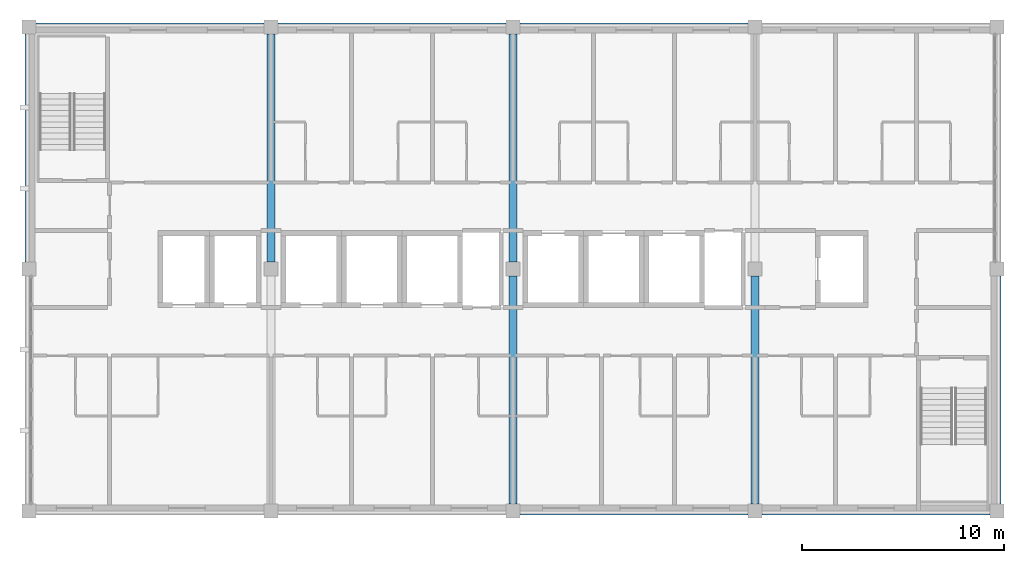
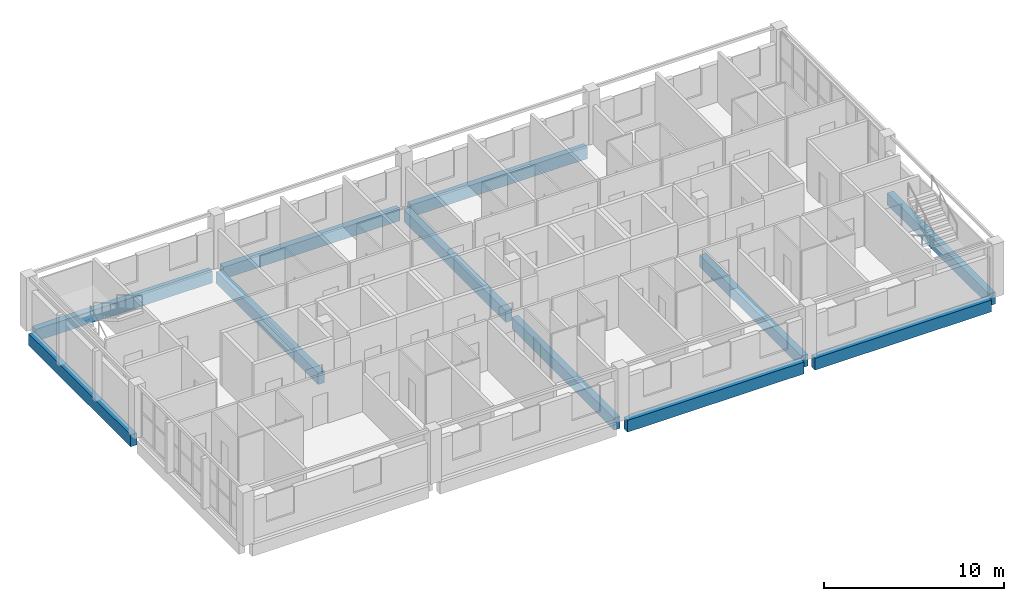
# One storey, part 3 of 11: 11 beams.
"""IFC4 building model written with IfcOpenShell, lengths in metres."""

from ifc_helpers import new_model, si_unit, direction, frame, origin, origin_2d, place, context, subcontext, project, spatial, rectangle, extrude, material, material_profile, profile_set, type_object, element, save


model = new_model("IFC4")

# Units and contexts
model_context = context("Model", 3, precision=1e-05, world=origin(), true_north=direction((0.0, 1.0)))
body_context = subcontext(model_context, "Body", "Model", "MODEL_VIEW")
ifc_project = project(units=[si_unit("LENGTHUNIT", "METRE"), si_unit("AREAUNIT", "SQUARE_METRE"), si_unit("VOLUMEUNIT", "CUBIC_METRE"), si_unit("PLANEANGLEUNIT", "RADIAN"), si_unit("MASSUNIT", "GRAM", prefix="KILO")], contexts=[model_context])

# Site, building, storey
site_placement = place(None, origin())
site = spatial("IfcSite", under=ifc_project, at=site_placement, CompositionType="ELEMENT")
building_placement = place(site_placement, origin())
building = spatial("IfcBuilding", under=site, at=building_placement, Name="Lilac Gate Convention Centre", CompositionType="ELEMENT")
storey_placement = place(building_placement, frame((0.0, 0.0, 57.0)))
storey = spatial("IfcBuildingStorey", under=building, at=storey_placement, Name="L14", CompositionType="ELEMENT", Elevation=57.0)

# Beams
ifc_material = material(Name="Concrete C40", Category="concrete")
ifc_material_profile = material_profile(ifc_material, rectangle(XDim=0.39990234375, YDim=0.800048828125, at=origin_2d()), Name="RC 400x800")
ifc_profile_set = profile_set([ifc_material_profile], Name="Concrete C40")
beam_type = type_object("IfcBeamType", Name="Tower primary beam 400x800 C40", PredefinedType="BEAM", material=ifc_profile_set)
for number, where, z_axis, x_axis, name in (
    (1, (66.35009765625, 222.0, -0.60009765625), (1.0, 0.0, 0.0), (0.0, 1.0, 0.0), "RB3 L14 6/S-7/S"),
    (2, (78.35009765625, 222.0, -0.60009765625), (1.0, 0.0, 0.0), (0.0, 1.0, 0.0), "RB3 L14 7/S-8/S"),
    (3, (42.35009765625, 246.0, -0.60009765625), (1.0, 0.0, 0.0), (0.0, 1.0, 0.0), "RB3 L14 4/U-5/U"),
    (4, (54.35009765625, 246.0, -0.60009765625), (1.0, 0.0, 0.0), (0.0, 1.0, 0.0), "RB3 L14 5/U-6/U"),
    (5, (66.35009765625, 246.0, -0.60009765625), (1.0, 0.0, 0.0), (0.0, 1.0, 0.0), "RB3 L14 6/U-7/U"),
    (6, (42.0, 234.35009765625, -0.60009765625), (0.0, 1.0, 0.0), (-1.0, 0.0, 0.0), "RB3 L14 4/T-4/U"),
    (7, (54.0, 234.35009765625, -0.60009765625), (0.0, 1.0, 0.0), (-1.0, 0.0, 0.0), "RB3 L14 5/T-5/U"),
    (8, (66.0, 222.35009765625, -0.60009765625), (0.0, 1.0, 0.0), (-1.0, 0.0, 0.0), "RB3 L14 6/S-6/T"),
    (9, (66.0, 234.35009765625, -0.60009765625), (0.0, 1.0, 0.0), (-1.0, 0.0, 0.0), "RB3 L14 6/T-6/U"),
    (10, (78.0, 222.35009765625, -0.60009765625), (0.0, 1.0, 0.0), (-1.0, 0.0, 0.0), "RB3 L14 7/S-7/T"),
    (11, (90.0, 222.35009765625, -0.60009765625), (0.0, 1.0, 0.0), (-1.0, 0.0, 0.0), "RB3 L14 8/S-8/T"),
):
    element("IfcBeam", number, at=place(storey_placement, frame(where, z_axis=z_axis, x_axis=x_axis)), inside=storey, type_object=beam_type, Name=name, PredefinedType="BEAM", context=body_context, shape_type="SweptSolid", body=[
        extrude(rectangle(XDim=0.39990234375, YDim=0.800048828125, at=origin_2d()), origin(), (0.0, 0.0, 1.0), 11.2998046875),
    ])

save(model, "model.ifc")
